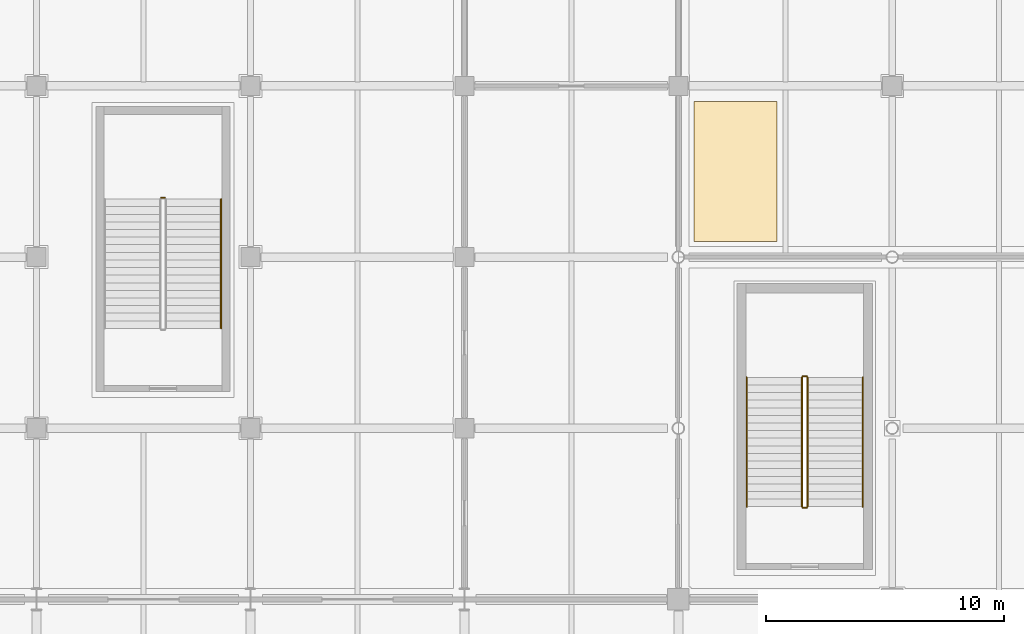
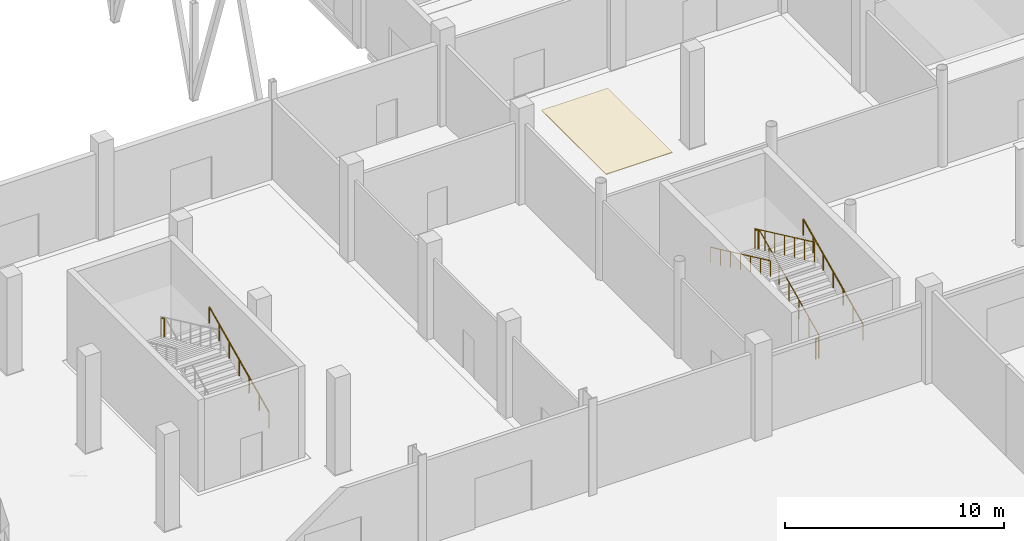
# One storey, part 111 of 137: 8 railings, 1 covering.
"""IFC4 building model written with IfcOpenShell, lengths in metres."""

from ifc_helpers import new_model, si_unit, direction, frame, origin, origin_2d, place, context, subcontext, project, spatial, polyline, circle, outline, extrude, material, layer, layer_set, type_object, element, save


model = new_model("IFC4")

# Units and contexts
model_context = context("Model", 3, precision=1e-05, world=origin(), true_north=direction((0.0, 1.0)))
body_context = subcontext(model_context, "Body", "Model", "MODEL_VIEW")
ifc_project = project(units=[si_unit("LENGTHUNIT", "METRE"), si_unit("AREAUNIT", "SQUARE_METRE"), si_unit("VOLUMEUNIT", "CUBIC_METRE"), si_unit("PLANEANGLEUNIT", "RADIAN"), si_unit("MASSUNIT", "GRAM", prefix="KILO")], contexts=[model_context])

# Site, building, storey
site_placement = place(None, origin())
site = spatial("IfcSite", under=ifc_project, at=site_placement, CompositionType="ELEMENT")
building_placement = place(site_placement, origin())
building = spatial("IfcBuilding", under=site, at=building_placement, Name="Celestram Park Convention Centre", CompositionType="ELEMENT")
storey_placement = place(building_placement, origin())
storey = spatial("IfcBuildingStorey", under=building, at=storey_placement, Name="L00", CompositionType="ELEMENT", Elevation=0.0)

# Covering
ifc_material_1 = material(Name="Perforated Acoustic Mineral-Fibre Baffle Ceiling", Category="gypsum")
ifc_layer_1 = layer(ifc_material_1, 0.0400390625)
ifc_layer_set_1 = layer_set([ifc_layer_1], Name="Perforated Acoustic Mineral-Fibre Baffle Ceiling")
covering_type = type_object("IfcCoveringType", Name="ARC-COV-CLG040", PredefinedType="CEILING", material=ifc_layer_set_1)
covering_placement = place(storey_placement, frame((0.0, 0.0, 5.080078125)))
element("IfcCovering", 1, at=covering_placement, inside=storey, type_object=covering_type, Name="Civic Press Briefing Room acoustic baffle ceiling", PredefinedType="CEILING", context=body_context, shape_type="SweptSolid", body=[
    extrude(outline(polyline([(36.64990234375, 123.050048828125), (40.14990234375, 123.050048828125), (40.14990234375, 128.949951171875), (36.64990234375, 128.949951171875), (36.64990234375, 123.050048828125)])), origin(), (0.0, 0.0, 1.0), 0.0400390625),
])

# Railings
ifc_material_2 = material(Name="Stainless Steel AISI 316L & Laminated Glass", Category="steel")
ifc_layer_2 = layer(ifc_material_2, 0.06005859375)
ifc_layer_set_2 = layer_set([ifc_layer_2], Name="Stainless Steel AISI 316L & Laminated Glass")
railing_type_1 = type_object("IfcRailingType", Name="ARC-RL-GRD1120", PredefinedType="GUARDRAIL", material=ifc_layer_set_2)
railing_1_placement = place(storey_placement, frame((41.43603515625, 111.89990234375, 0.14990234375)))
element("IfcRailing", 2, at=railing_1_placement, inside=storey, type_object=railing_type_1, Name="L00 ST-13 stair guard 1", PredefinedType="GUARDRAIL", context=body_context, shape_type="SweptSolid", body=[
    extrude(circle(Radius=0.02392578125, at=origin_2d()), frame((0.0, 0.0, 1.09619140625), z_axis=(0.0, 0.905461375974, 0.424428670827), x_axis=(-1.0, 0.0, 0.0)), (0.0, 0.0, 1.0), 6.00830078125),
    extrude(circle(Radius=0.02099609375, at=origin_2d()), origin(), (0.0, 0.0, 1.0), 1.072021484375),
    extrude(circle(Radius=0.02099609375, at=origin_2d()), frame((0.0, 0.90673828125, 0.425048828125)), (0.0, 0.0, 1.0), 1.072021484375),
    extrude(circle(Radius=0.02099609375, at=origin_2d()), frame((0.0, 1.8134765625, 0.85009765625)), (0.0, 0.0, 1.0), 1.072021484375),
    extrude(circle(Radius=0.02099609375, at=origin_2d()), frame((0.0, 2.72021484375, 1.27490234375)), (0.0, 0.0, 1.0), 1.072021484375),
    extrude(circle(Radius=0.02099609375, at=origin_2d()), frame((0.0, 3.626708984375, 1.699951171875)), (0.0, 0.0, 1.0), 1.072021484375),
    extrude(circle(Radius=0.02099609375, at=origin_2d()), frame((0.0, 4.533447265625, 2.125)), (0.0, 0.0, 1.0), 1.072021484375),
    extrude(circle(Radius=0.02099609375, at=origin_2d()), frame((0.0, 5.440185546875, 2.550048828125)), (0.0, 0.0, 1.0), 1.072021484375),
])
railing_2_placement = place(storey_placement, frame((41.39990234375, 117.389892578125, 2.699951171875)))
element("IfcRailing", 3, at=railing_2_placement, inside=storey, type_object=railing_type_1, Name="L00 ST-13 stair guard 2", PredefinedType="GUARDRAIL", context=body_context, shape_type="SweptSolid", body=[
    extrude(circle(Radius=0.02392578125, at=origin_2d()), frame((0.0, 0.0, 1.09619140625), z_axis=(-1.0, 0.0, 0.0), x_axis=(0.0, -1.0, 0.0)), (0.0, 0.0, 1.0), 0.159912109375),
    extrude(circle(Radius=0.02099609375, at=origin_2d()), origin(), (0.0, 0.0, 1.0), 1.072021484375),
    extrude(circle(Radius=0.02099609375, at=origin_2d()), frame((-0.159912109375, 0.0, 0.0)), (0.0, 0.0, 1.0), 1.072021484375),
])
railing_3_placement = place(storey_placement, frame((41.2041015625, 117.340087890625, 2.85009765625)))
element("IfcRailing", 4, at=railing_3_placement, inside=storey, type_object=railing_type_1, Name="L00 ST-13 stair guard 3", PredefinedType="GUARDRAIL", context=body_context, shape_type="SweptSolid", body=[
    extrude(circle(Radius=0.02392578125, at=origin_2d()), frame((0.0, 0.0, 1.09619140625), z_axis=(0.0, -0.90547699167, 0.424395355248), x_axis=(1.0, 0.0, 0.0)), (0.0, 0.0, 1.0), 6.008056640625),
    extrude(circle(Radius=0.02099609375, at=origin_2d()), origin(), (0.0, 0.0, 1.0), 1.072021484375),
    extrude(circle(Radius=0.02099609375, at=origin_2d()), frame((0.0, -0.90673828125, 0.425048828125)), (0.0, 0.0, 1.0), 1.072021484375),
    extrude(circle(Radius=0.02099609375, at=origin_2d()), frame((0.0, -1.8134765625, 0.849853515625)), (0.0, 0.0, 1.0), 1.072021484375),
    extrude(circle(Radius=0.02099609375, at=origin_2d()), frame((0.0, -2.72021484375, 1.27490234375)), (0.0, 0.0, 1.0), 1.072021484375),
    extrude(circle(Radius=0.02099609375, at=origin_2d()), frame((0.0, -3.626708984375, 1.699951171875)), (0.0, 0.0, 1.0), 1.072021484375),
    extrude(circle(Radius=0.02099609375, at=origin_2d()), frame((0.0, -4.533447265625, 2.124755859375)), (0.0, 0.0, 1.0), 1.072021484375),
    extrude(circle(Radius=0.02099609375, at=origin_2d()), frame((0.0, -5.440185546875, 2.5498046875)), (0.0, 0.0, 1.0), 1.072021484375),
])
for number, where, name in (
    (5, (41.39990234375, 111.85009765625, 0.0), "L00 ST-13 stair guard 4"),
    (6, (14.39990234375, 124.889892578125, 2.699951171875), "L00 ST-15 stair guard 2"),
):
    element("IfcRailing", number, at=place(storey_placement, frame(where)), inside=storey, type_object=railing_type_1, Name=name, PredefinedType="GUARDRAIL", context=body_context, shape_type="SweptSolid", body=[
        extrude(circle(Radius=0.02392578125, at=origin_2d()), frame((0.0, 0.0, 1.09619140625), z_axis=(-1.0, 0.0, 0.0), x_axis=(0.0, -1.0, 0.0)), (0.0, 0.0, 1.0), 0.159912109375),
        extrude(circle(Radius=0.02099609375, at=origin_2d()), origin(), (0.0, 0.0, 1.0), 1.072021484375),
        extrude(circle(Radius=0.02099609375, at=origin_2d()), frame((-0.159912109375, 0.0, 0.0)), (0.0, 0.0, 1.0), 1.072021484375),
    ])
ifc_material_3 = material(Name="Brushed Stainless Steel AISI 304", Category="steel")
ifc_layer_3 = layer(ifc_material_3, 0.048095703125)
ifc_layer_set_3 = layer_set([ifc_layer_3], Name="Brushed Stainless Steel AISI 304")
railing_type_2 = type_object("IfcRailingType", Name="ARC-RL-HND915", PredefinedType="HANDRAIL", material=ifc_layer_set_3)
railing_4_placement = place(storey_placement, frame((43.763916015625, 111.89990234375, 0.14990234375)))
element("IfcRailing", 7, at=railing_4_placement, inside=storey, type_object=railing_type_2, Name="L00 ST-13 stair handrail 1", PredefinedType="HANDRAIL", context=body_context, shape_type="SweptSolid", body=[
    extrude(circle(Radius=0.02392578125, at=origin_2d()), frame((0.0, 0.0, 0.8759765625), z_axis=(0.0, 0.905461375974, 0.424428670827), x_axis=(-1.0, 0.0, 0.0)), (0.0, 0.0, 1.0), 6.00830078125),
    extrude(circle(Radius=0.02099609375, at=origin_2d()), origin(), (0.0, 0.0, 1.0), 0.851806640625),
    extrude(circle(Radius=0.02099609375, at=origin_2d()), frame((0.0, 0.90673828125, 0.425048828125)), (0.0, 0.0, 1.0), 0.851806640625),
    extrude(circle(Radius=0.02099609375, at=origin_2d()), frame((0.0, 1.8134765625, 0.85009765625)), (0.0, 0.0, 1.0), 0.851806640625),
    extrude(circle(Radius=0.02099609375, at=origin_2d()), frame((0.0, 2.72021484375, 1.27490234375)), (0.0, 0.0, 1.0), 0.851806640625),
    extrude(circle(Radius=0.02099609375, at=origin_2d()), frame((0.0, 3.626708984375, 1.699951171875)), (0.0, 0.0, 1.0), 0.851806640625),
    extrude(circle(Radius=0.02099609375, at=origin_2d()), frame((0.0, 4.533447265625, 2.125)), (0.0, 0.0, 1.0), 0.851806640625),
    extrude(circle(Radius=0.02099609375, at=origin_2d()), frame((0.0, 5.440185546875, 2.550048828125)), (0.0, 0.0, 1.0), 0.851806640625),
])
railing_5_placement = place(storey_placement, frame((38.8759765625, 117.340087890625, 2.85009765625)))
element("IfcRailing", 8, at=railing_5_placement, inside=storey, type_object=railing_type_2, Name="L00 ST-13 stair handrail 2", PredefinedType="HANDRAIL", context=body_context, shape_type="SweptSolid", body=[
    extrude(circle(Radius=0.02392578125, at=origin_2d()), frame((0.0, 0.0, 0.8759765625), z_axis=(0.0, -0.90547699167, 0.424395355248), x_axis=(1.0, 0.0, 0.0)), (0.0, 0.0, 1.0), 6.008056640625),
    extrude(circle(Radius=0.02099609375, at=origin_2d()), origin(), (0.0, 0.0, 1.0), 0.851806640625),
    extrude(circle(Radius=0.02099609375, at=origin_2d()), frame((0.0, -0.90673828125, 0.425048828125)), (0.0, 0.0, 1.0), 0.851806640625),
    extrude(circle(Radius=0.02099609375, at=origin_2d()), frame((0.0, -1.8134765625, 0.849853515625)), (0.0, 0.0, 1.0), 0.851806640625),
    extrude(circle(Radius=0.02099609375, at=origin_2d()), frame((0.0, -2.72021484375, 1.27490234375)), (0.0, 0.0, 1.0), 0.851806640625),
    extrude(circle(Radius=0.02099609375, at=origin_2d()), frame((0.0, -3.626708984375, 1.699951171875)), (0.0, 0.0, 1.0), 0.851806640625),
    extrude(circle(Radius=0.02099609375, at=origin_2d()), frame((0.0, -4.533447265625, 2.124755859375)), (0.0, 0.0, 1.0), 0.851806640625),
    extrude(circle(Radius=0.02099609375, at=origin_2d()), frame((0.0, -5.440185546875, 2.5498046875)), (0.0, 0.0, 1.0), 0.851806640625),
])
railing_6_placement = place(storey_placement, frame((16.763916015625, 119.39990234375, 0.14990234375)))
element("IfcRailing", 9, at=railing_6_placement, inside=storey, type_object=railing_type_2, Name="L00 ST-15 stair handrail 1", PredefinedType="HANDRAIL", context=body_context, shape_type="SweptSolid", body=[
    extrude(circle(Radius=0.02392578125, at=origin_2d()), frame((0.0, 0.0, 0.8759765625), z_axis=(0.0, 0.905461375974, 0.424428670827), x_axis=(-1.0, 0.0, 0.0)), (0.0, 0.0, 1.0), 6.00830078125),
    extrude(circle(Radius=0.02099609375, at=origin_2d()), origin(), (0.0, 0.0, 1.0), 0.851806640625),
    extrude(circle(Radius=0.02099609375, at=origin_2d()), frame((0.0, 0.90673828125, 0.425048828125)), (0.0, 0.0, 1.0), 0.851806640625),
    extrude(circle(Radius=0.02099609375, at=origin_2d()), frame((0.0, 1.8134765625, 0.85009765625)), (0.0, 0.0, 1.0), 0.851806640625),
    extrude(circle(Radius=0.02099609375, at=origin_2d()), frame((0.0, 2.72021484375, 1.27490234375)), (0.0, 0.0, 1.0), 0.851806640625),
    extrude(circle(Radius=0.02099609375, at=origin_2d()), frame((0.0, 3.626708984375, 1.699951171875)), (0.0, 0.0, 1.0), 0.851806640625),
    extrude(circle(Radius=0.02099609375, at=origin_2d()), frame((0.0, 4.533447265625, 2.125)), (0.0, 0.0, 1.0), 0.851806640625),
    extrude(circle(Radius=0.02099609375, at=origin_2d()), frame((0.0, 5.440185546875, 2.550048828125)), (0.0, 0.0, 1.0), 0.851806640625),
])

save(model, "model.ifc")
